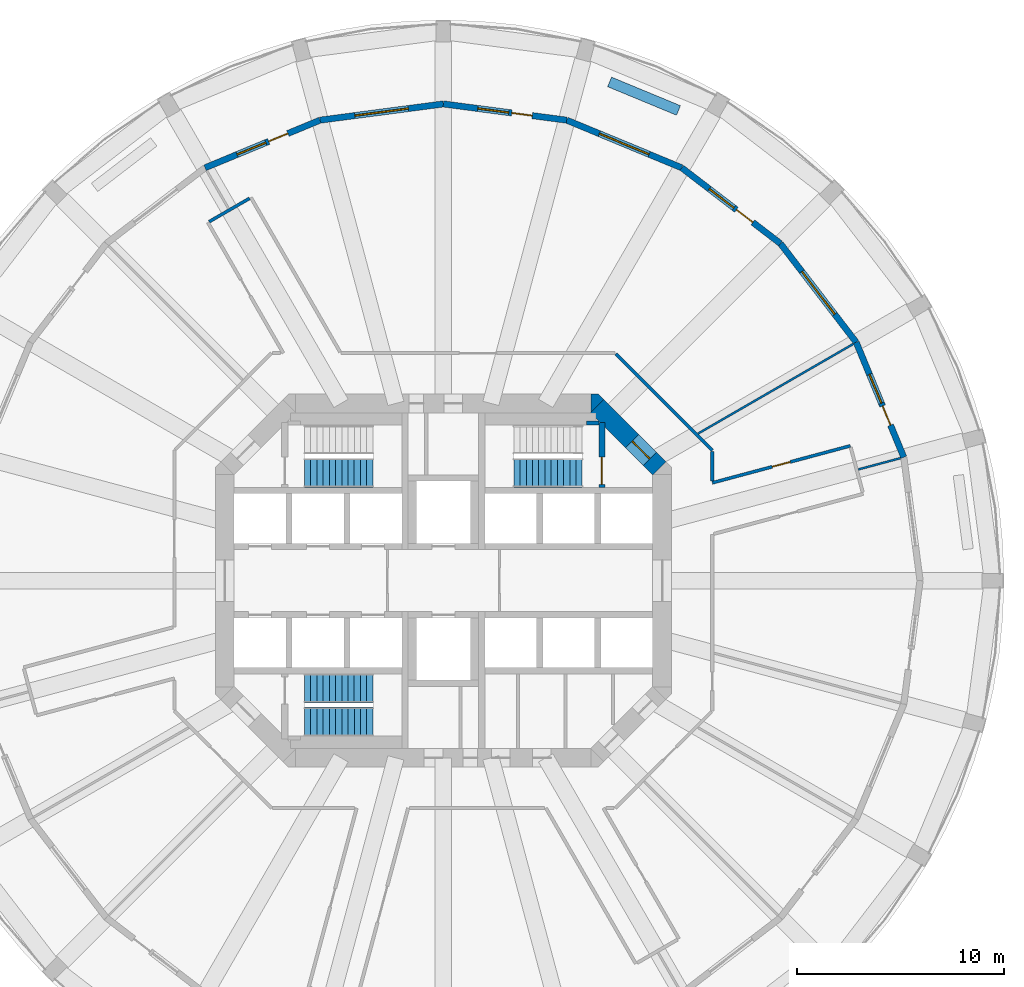
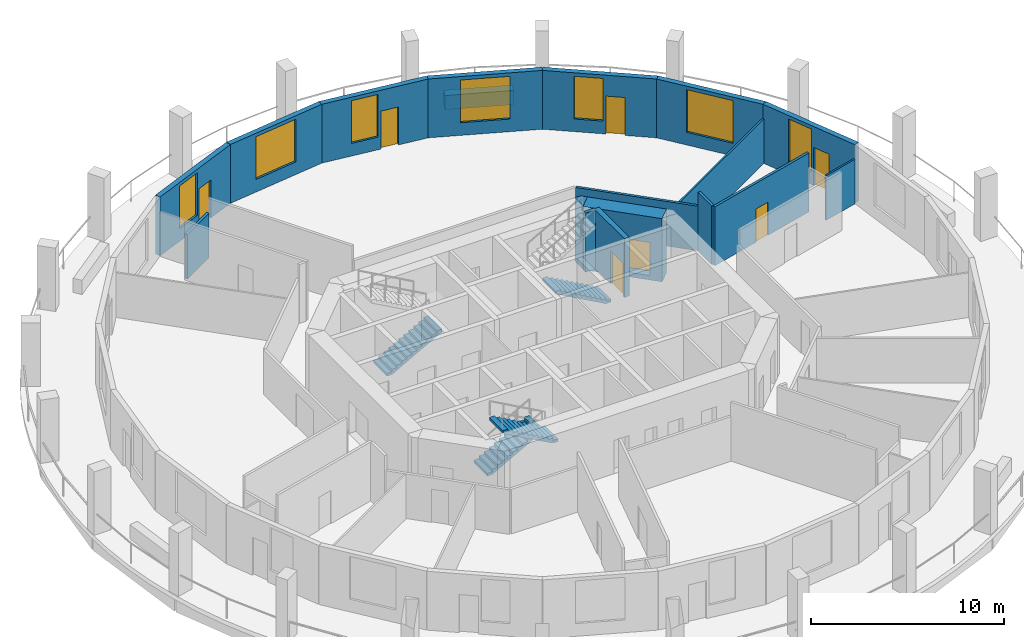
# One storey, part 6 of 9: 18 walls, 7 doors, 7 windows, 4 stair flights, 14 openings, 3 elements without a shape of their own.
"""IFC4 building model written with IfcOpenShell, lengths in metres."""

from ifc_helpers import new_model, si_unit, direction, frame, frame_2d, origin, place, context, subcontext, project, spatial, polyline, rectangle, outline, extrude, material, layer, layer_set, type_object, element, fill, aggregate, save


model = new_model("IFC4")

# Units and contexts
model_context = context("Model", 3, precision=1e-05, world=origin(), true_north=direction((0.0, 1.0)))
body_context = subcontext(model_context, "Body", "Model", "MODEL_VIEW")
ifc_project = project(units=[si_unit("LENGTHUNIT", "METRE"), si_unit("AREAUNIT", "SQUARE_METRE"), si_unit("VOLUMEUNIT", "CUBIC_METRE"), si_unit("PLANEANGLEUNIT", "RADIAN"), si_unit("MASSUNIT", "GRAM", prefix="KILO")], contexts=[model_context])

# Site, building, storey
site_placement = place(None, origin())
site = spatial("IfcSite", under=ifc_project, at=site_placement, CompositionType="ELEMENT")
building_placement = place(site_placement, origin())
building = spatial("IfcBuilding", under=site, at=building_placement, Name="Torre Triforio", CompositionType="ELEMENT")
storey_placement = place(building_placement, frame((0.0, 0.0, 59.0)))
storey = spatial("IfcBuildingStorey", under=building, at=storey_placement, Name="L12", CompositionType="ELEMENT", Elevation=59.0)

# Wall, opening, door
ifc_material_1 = material(Name="Concrete C60", Category="concrete")
ifc_layer_1 = layer(ifc_material_1, 0.89990234375)
ifc_layer_set_1 = layer_set([ifc_layer_1], Name="Concrete C60")
wall_type_1 = type_object("IfcWallType", Name="Core wall 900 mm C60 EI 120", PredefinedType="SHEAR", material=ifc_layer_set_1)
wall_1_placement = place(storey_placement, frame((7.418212890625, 8.418212890625, -0.280029296875), z_axis=(0.0, 0.0, 1.0), x_axis=(0.707106781187, -0.707106781187, 0.0)))
wall_1 = element("IfcWall", 1, at=wall_1_placement, inside=storey, type_object=wall_type_1, Name="Core wall", PredefinedType="SHEAR", context=body_context, shape_type="SweptSolid", body=[
    extrude(rectangle(XDim=4.24267578125, YDim=0.89990234375, at=frame_2d((2.121337890625, 0.0))), origin(), (0.0, 0.0, 1.0), 4.0),
])
opening_1_placement = place(wall_1_placement, frame((2.392578125, 0.0, 0.280029296875)))
opening_1 = element("IfcOpeningElement", 2, at=opening_1_placement, cuts=wall_1, Name="Opening ST2-EXIT", PredefinedType="OPENING", context=body_context, shape_type="SweptSolid", body=[
    extrude(rectangle(XDim=1.199951171875, YDim=2.10009765625, at=frame_2d((0.60009765625, 1.050048828125))), frame((0.0, 0.4599609375, 0.0), z_axis=(0.0, -1.0, 0.0), x_axis=(1.0, 0.0, 0.0)), (0.0, 0.0, 1.0), 0.919921875),
])
ifc_material_2 = material(Name="Hollow metal fire door leaf")
door_type_1 = type_object("IfcDoorType", Name="Stair lobby door 1200 x 2100 EI 60", OperationType="NOTDEFINED", PredefinedType="DOOR", material=ifc_material_2)
door_1_placement = place(opening_1_placement, origin())
door_1 = element("IfcDoor", 3, at=door_1_placement, inside=storey, type_object=door_type_1, Name="Core door ST2-EXIT", OperationType="SINGLE_SWING_RIGHT", OverallHeight=2.10009765625, OverallWidth=1.199951171875, PredefinedType="DOOR", context=body_context, shape_type="SweptSolid", body=[
    extrude(rectangle(XDim=1.199951171875, YDim=2.10009765625, at=frame_2d((0.60009765625, 1.050048828125))), frame((0.0, 0.02490234375, 0.0), z_axis=(0.0, -1.0, 0.0), x_axis=(1.0, 0.0, 0.0)), (0.0, 0.0, 1.0), 0.050048828125),
])
fill(opening_1, door_1)

# Walls
wall_2_placement = place(storey_placement, frame((0.0, 0.0, -0.280029296875)))
element("IfcWall", 4, at=wall_2_placement, inside=storey, type_object=wall_type_1, Name="Core wall", PredefinedType="SHEAR", context=body_context, shape_type="SweptSolid", body=[
    extrude(outline(polyline([(7.472900390625, 9.0), (7.736328125, 8.736328125), (7.1298828125, 8.1298828125), (7.1298828125, 9.0), (7.472900390625, 9.0)])), origin(), (0.0, 0.0, 1.0), 4.0),
])
ifc_material_3 = material(Name="Plasterboard on metal studs")
ifc_layer_2 = layer(ifc_material_3, 0.14990234375)
ifc_layer_set_2 = layer_set([ifc_layer_2], Name="Plasterboard on metal studs")
wall_type_2 = type_object("IfcWallType", Name="Corridor and tenancy wall 150 mm EI 60", PredefinedType="PARTITIONING", material=ifc_layer_set_2)
wall_3_placement = place(storey_placement, frame((-11.298583984375, 17.31982421875, 0.0), z_axis=(0.0, 0.0, 1.0), x_axis=(0.866017533419, 0.500013631625, 0.0)))
element("IfcWall", 5, at=wall_3_placement, inside=storey, type_object=wall_type_2, Name="Partition 7", PredefinedType="PARTITIONING", context=body_context, shape_type="SweptSolid", body=[
    extrude(rectangle(XDim=2.25, YDim=0.14990234375, at=frame_2d((1.125, 0.0))), origin(), (0.0, 0.0, 1.0), 2.820068359375),
])
wall_4_placement = place(storey_placement, frame((8.327880859375, 10.93798828125, 0.0), z_axis=(0.0, 0.0, 1.0), x_axis=(0.707125355289, -0.707088206597, 0.0)))
element("IfcWall", 6, at=wall_4_placement, inside=storey, type_object=wall_type_2, Name="Partition 10", PredefinedType="PARTITIONING", context=body_context, shape_type="SweptSolid", body=[
    extrude(rectangle(XDim=6.572021484375, YDim=0.14990234375, at=frame_2d((3.2861328125, 0.0))), origin(), (0.0, 0.0, 1.0), 2.820068359375),
])
wall_5_placement = place(storey_placement, frame((12.97509765625, 6.23828125, 0.0), z_axis=(0.0, 0.0, 1.0), x_axis=(0.0, -1.0, 0.0)))
element("IfcWall", 7, at=wall_5_placement, inside=storey, type_object=wall_type_2, Name="Partition 11", PredefinedType="PARTITIONING", context=body_context, shape_type="SweptSolid", body=[
    extrude(rectangle(XDim=1.421875, YDim=0.14990234375, at=frame_2d((0.7109375, 0.0))), origin(), (0.0, 0.0, 1.0), 3.719970703125),
])

# Wall, opening, door
wall_6_placement = place(storey_placement, frame((12.97509765625, 4.718994140625, 0.0), z_axis=(0.0, 0.0, 1.0), x_axis=(0.965924499418, 0.258823997003, 0.0)))
wall_6 = element("IfcWall", 8, at=wall_6_placement, inside=storey, type_object=wall_type_2, Name="Partition 12", PredefinedType="PARTITIONING", context=body_context, shape_type="SweptSolid", body=[
    extrude(rectangle(XDim=6.894287109375, YDim=0.14990234375, at=frame_2d((3.447265625, 0.0))), origin(), (0.0, 0.0, 1.0), 3.719970703125),
])
opening_2_placement = place(wall_6_placement, frame((2.997314453125, 0.0, 0.0)))
opening_2 = element("IfcOpeningElement", 9, at=opening_2_placement, cuts=wall_6, Name="Opening N4-10", PredefinedType="OPENING", context=body_context, shape_type="SweptSolid", body=[
    extrude(rectangle(XDim=0.89990234375, YDim=2.10009765625, at=frame_2d((0.449951171875, 1.050048828125))), frame((0.0, 0.0849609375, 0.0), z_axis=(0.0, -1.0, 0.0), x_axis=(1.0, 0.0, 0.0)), (0.0, 0.0, 1.0), 0.169921875),
])
ifc_material_4 = material(Name="Timber", Category="wood")
door_type_2 = type_object("IfcDoorType", Name="Door 900 x 2100 single leaf EI 30", OperationType="NOTDEFINED", PredefinedType="DOOR", material=ifc_material_4)
door_2_placement = place(opening_2_placement, origin())
door_2 = element("IfcDoor", 10, at=door_2_placement, inside=storey, type_object=door_type_2, Name="Door N4-10", OperationType="SINGLE_SWING_RIGHT", OverallHeight=2.10009765625, OverallWidth=0.89990234375, PredefinedType="DOOR", context=body_context, shape_type="SweptSolid", body=[
    extrude(rectangle(XDim=0.89990234375, YDim=2.10009765625, at=frame_2d((0.449951171875, 1.050048828125))), frame((0.0, 0.02490234375, 0.0), z_axis=(0.0, -1.0, 0.0), x_axis=(1.0, 0.0, 0.0)), (0.0, 0.0, 1.0), 0.050048828125),
])
fill(opening_2, door_2)

# Walls
ifc_layer_3 = layer(ifc_material_3, 0.10009765625)
ifc_layer_set_3 = layer_set([ifc_layer_3], Name="Plasterboard on metal studs")
wall_type_3 = type_object("IfcWallType", Name="Partition 100 mm board on metal studs", PredefinedType="PARTITIONING", material=ifc_layer_set_3)
wall_7_placement = place(storey_placement, frame((20.017578125, 5.36376953125, 0.0), z_axis=(0.0, 0.0, 1.0), x_axis=(0.965927422152, 0.258813089189, 0.0)))
element("IfcWall", 11, at=wall_7_placement, inside=storey, type_object=wall_type_3, Name="Partition 29", PredefinedType="PARTITIONING", context=body_context, shape_type="SweptSolid", body=[
    extrude(rectangle(XDim=2.113037109375, YDim=0.10009765625, at=frame_2d((1.056640625, 0.0))), origin(), (0.0, 0.0, 1.0), 2.820068359375),
])
wall_8_placement = place(storey_placement, frame((12.294189453125, 7.097900390625, 0.0), z_axis=(0.0, 0.0, 1.0), x_axis=(0.866010547425, 0.500025731086, 0.0)))
element("IfcWall", 12, at=wall_8_placement, inside=storey, type_object=wall_type_3, Name="Partition 30", PredefinedType="PARTITIONING", context=body_context, shape_type="SweptSolid", body=[
    extrude(rectangle(XDim=8.640625, YDim=0.10009765625, at=frame_2d((4.3203125, 0.0))), origin(), (0.0, 0.0, 1.0), 2.820068359375),
])
ifc_material_5 = material(Name="Limestone cladding", Category="masonry")
ifc_layer_4 = layer(ifc_material_5, 0.10009765625)
ifc_material_6 = material(Name="Concrete C40", Category="concrete")
ifc_layer_5 = layer(ifc_material_6, 0.39990234375)
ifc_layer_set_4 = layer_set([ifc_layer_4, ifc_layer_5], Name="Limestone cladding / Concrete C40")
wall_type_4 = type_object("IfcWallType", Name="Planter wall 500", PredefinedType="PARAPET", material=ifc_layer_set_4)
wall_9_placement = place(storey_placement, frame((11.344970703125, 22.685302734375, 0.0), z_axis=(0.0, 0.0, 1.0), x_axis=(-0.923885420167, 0.382669217998, 0.0)))
element("IfcWall", 13, at=wall_9_placement, inside=storey, type_object=wall_type_4, Name="Planter L12 bay 05", PredefinedType="PARAPET", context=body_context, shape_type="SweptSolid", body=[
    extrude(rectangle(XDim=3.60009765625, YDim=0.5, at=frame_2d((1.800048828125, 0.0))), origin(), (0.0, 0.0, 1.0), 0.89990234375),
])
ifc_layer_6 = layer(ifc_material_1, 0.199951171875)
ifc_layer_set_5 = layer_set([ifc_layer_6], Name="Concrete C60")
wall_type_5 = type_object("IfcWallType", Name="Stair wall 200 mm C60 EI 120", PredefinedType="SHEAR", material=ifc_layer_set_5)
wall_10_placement = place(storey_placement, frame((6.89990234375, 7.60009765625, 0.0), z_axis=(0.0, 0.0, 1.0), x_axis=(1.0, 0.0, 0.0)))
element("IfcWall", 14, at=wall_10_placement, inside=storey, type_object=wall_type_5, Name="Stair wall", PredefinedType="SHEAR", context=body_context, shape_type="SweptSolid", body=[
    extrude(rectangle(XDim=0.60009765625, YDim=0.199951171875, at=frame_2d((0.300048828125, 0.0))), origin(), (0.0, 0.0, 1.0), 3.719970703125),
])

# Wall, opening, door
ifc_layer_7 = layer(ifc_material_1, 0.300048828125)
ifc_layer_set_6 = layer_set([ifc_layer_7], Name="Concrete C60")
wall_type_6 = type_object("IfcWallType", Name="Stair wall 300 mm C60 EI 120", PredefinedType="SHEAR", material=ifc_layer_set_6)
wall_11_placement = place(storey_placement, frame((7.64990234375, 4.5, 0.0), z_axis=(0.0, 0.0, 1.0), x_axis=(0.0, 1.0, 0.0)))
wall_11 = element("IfcWall", 15, at=wall_11_placement, inside=storey, type_object=wall_type_6, Name="Stair wall", PredefinedType="SHEAR", context=body_context, shape_type="SweptSolid", body=[
    extrude(rectangle(XDim=3.139892578125, YDim=0.300048828125, at=frame_2d((1.56982421875, 0.0))), origin(), (0.0, 0.0, 1.0), 3.719970703125),
])
opening_3_placement = place(wall_11_placement, frame((0.139892578125, 0.0, 0.0)))
opening_3 = element("IfcOpeningElement", 16, at=opening_3_placement, cuts=wall_11, Name="Opening ST2-STA", PredefinedType="OPENING", context=body_context, shape_type="SweptSolid", body=[
    extrude(rectangle(XDim=1.320068359375, YDim=2.10009765625, at=frame_2d((0.66015625, 1.050048828125))), frame((0.0, 0.159912109375, 0.0), z_axis=(0.0, -1.0, 0.0), x_axis=(1.0, 0.0, 0.0)), (0.0, 0.0, 1.0), 0.320068359375),
])
door_type_3 = type_object("IfcDoorType", Name="Stair door 1320 x 2100 EI 90", OperationType="DOUBLE_DOOR_SINGLE_SWING", PredefinedType="DOOR", material=ifc_material_2)
door_3_placement = place(opening_3_placement, origin())
door_3 = element("IfcDoor", 17, at=door_3_placement, inside=storey, type_object=door_type_3, Name="Core door ST2-ST", OperationType="DOUBLE_DOOR_SINGLE_SWING", OverallHeight=2.10009765625, OverallWidth=1.320068359375, PredefinedType="DOOR", context=body_context, shape_type="SweptSolid", body=[
    extrude(rectangle(XDim=1.320068359375, YDim=2.10009765625, at=frame_2d((0.66015625, 1.050048828125))), frame((0.0, 0.02490234375, 0.0), z_axis=(0.0, -1.0, 0.0), x_axis=(1.0, 0.0, 0.0)), (0.0, 0.0, 1.0), 0.050048828125),
])
fill(opening_3, door_3)

# Wall, openings, door, window
ifc_layer_8 = layer(ifc_material_5, 0.10009765625)
ifc_layer_9 = layer(ifc_material_6, 0.199951171875)
ifc_layer_set_7 = layer_set([ifc_layer_8, ifc_layer_9], Name="Limestone cladding / Concrete C40")
wall_type_7 = type_object("IfcWallType", Name="Stone-faced composite wall 300", PredefinedType="STANDARD", material=ifc_layer_set_7)
wall_12_placement = place(storey_placement, frame((22.21630859375, 5.952880859375, 0.0), z_axis=(0.0, 0.0, 1.0), x_axis=(-0.382671411433, 0.923884511653, 0.0)))
wall_12 = element("IfcWall", 18, at=wall_12_placement, inside=storey, type_object=wall_type_7, Name="External wall L12 bay 02", PredefinedType="STANDARD", context=body_context, shape_type="SweptSolid", body=[
    extrude(rectangle(XDim=6.004150390625, YDim=0.300048828125, at=frame_2d((3.001953125, 0.0))), origin(), (0.0, 0.0, 1.0), 3.719970703125),
])
opening_4_placement = place(wall_12_placement, frame((1.677001953125, 0.0, 0.0)))
opening_4 = element("IfcOpeningElement", 19, at=opening_4_placement, cuts=wall_12, Name="Opening N4-D02", PredefinedType="OPENING", context=body_context, shape_type="SweptSolid", body=[
    extrude(rectangle(XDim=1.0, YDim=2.39990234375, at=frame_2d((0.5, 1.199951171875))), frame((0.0, 0.159912109375, 0.0), z_axis=(0.0, -1.0, 0.0), x_axis=(1.0, 0.0, 0.0)), (0.0, 0.0, 1.0), 0.320068359375),
])
opening_5_placement = place(wall_12_placement, frame((2.8271484375, 0.0, 0.800048828125)))
opening_5 = element("IfcOpeningElement", 20, at=opening_5_placement, cuts=wall_12, Name="Opening N4-W02A", PredefinedType="OPENING", context=body_context, shape_type="SweptSolid", body=[
    extrude(rectangle(XDim=1.5, YDim=2.699951171875, at=frame_2d((0.75, 1.35009765625))), frame((0.0, 0.159912109375, 0.0), z_axis=(0.0, -1.0, 0.0), x_axis=(1.0, 0.0, 0.0)), (0.0, 0.0, 1.0), 0.320068359375),
])
ifc_material_7 = material(Name="Aluminium frame with clear double glazing", Category="aluminium")
door_type_4 = type_object("IfcDoorType", Name="Loggia door 1000 x 2400", OperationType="NOTDEFINED", PredefinedType="DOOR", material=ifc_material_7)
door_4_placement = place(opening_4_placement, origin())
door_4 = element("IfcDoor", 21, at=door_4_placement, inside=storey, type_object=door_type_4, Name="Loggia door L12 bay 02", OperationType="SINGLE_SWING_LEFT", OverallHeight=2.39990234375, OverallWidth=1.0, PredefinedType="DOOR", context=body_context, shape_type="SweptSolid", body=[
    extrude(rectangle(XDim=1.0, YDim=2.39990234375, at=frame_2d((0.5, 1.199951171875))), frame((0.0, 0.02490234375, 0.0), z_axis=(0.0, -1.0, 0.0), x_axis=(1.0, 0.0, 0.0)), (0.0, 0.0, 1.0), 0.050048828125),
])
fill(opening_4, door_4)
window_type_1 = type_object("IfcWindowType", Name="Side window 1500 x 2700", PartitioningType="SINGLE_PANEL", PredefinedType="WINDOW", material=ifc_material_7)
window_1_placement = place(opening_5_placement, origin())
window_1 = element("IfcWindow", 22, at=window_1_placement, inside=storey, type_object=window_type_1, Name="Side window EWN12 L12 bay 02", OverallHeight=2.699951171875, OverallWidth=1.5, PartitioningType="SINGLE_PANEL", PredefinedType="WINDOW", context=body_context, shape_type="SweptSolid", body=[
    extrude(rectangle(XDim=1.5, YDim=2.699951171875, at=frame_2d((0.75, 1.35009765625))), frame((0.0, 0.030029296875, 0.0), z_axis=(0.0, -1.0, 0.0), x_axis=(1.0, 0.0, 0.0)), (0.0, 0.0, 1.0), 0.06005859375),
])
fill(opening_5, window_1)

# Wall, opening, window
wall_13_placement = place(storey_placement, frame((19.918701171875, 11.5, 0.0), z_axis=(0.0, 0.0, 1.0), x_axis=(-0.608778912074, 0.793339924758, 0.0)))
wall_13 = element("IfcWall", 23, at=wall_13_placement, inside=storey, type_object=wall_type_7, Name="External wall L12 bay 03", PredefinedType="STANDARD", context=body_context, shape_type="SweptSolid", body=[
    extrude(rectangle(XDim=6.004150390625, YDim=0.300048828125, at=frame_2d((3.001953125, 0.0))), origin(), (0.0, 0.0, 1.0), 3.719970703125),
])
opening_6_placement = place(wall_13_placement, frame((1.7021484375, 0.0, 0.800048828125)))
opening_6 = element("IfcOpeningElement", 24, at=opening_6_placement, cuts=wall_13, Name="Opening N4-W03", PredefinedType="OPENING", context=body_context, shape_type="SweptSolid", body=[
    extrude(rectangle(XDim=2.60009765625, YDim=2.699951171875, at=frame_2d((1.300048828125, 1.35009765625))), frame((0.0, 0.159912109375, 0.0), z_axis=(0.0, -1.0, 0.0), x_axis=(1.0, 0.0, 0.0)), (0.0, 0.0, 1.0), 0.320068359375),
])
window_type_2 = type_object("IfcWindowType", Name="Punched window 2600 x 2700", PartitioningType="DOUBLE_PANEL_VERTICAL", PredefinedType="WINDOW", material=ifc_material_7)
window_2_placement = place(opening_6_placement, origin())
window_2 = element("IfcWindow", 25, at=window_2_placement, inside=storey, type_object=window_type_2, Name="Window EWN2 L12 bay 03", OverallHeight=2.699951171875, OverallWidth=2.60009765625, PartitioningType="SINGLE_PANEL", PredefinedType="WINDOW", context=body_context, shape_type="SweptSolid", body=[
    extrude(rectangle(XDim=2.60009765625, YDim=2.699951171875, at=frame_2d((1.300048828125, 1.35009765625))), frame((0.0, 0.030029296875, 0.0), z_axis=(0.0, -1.0, 0.0), x_axis=(1.0, 0.0, 0.0)), (0.0, 0.0, 1.0), 0.06005859375),
])
fill(opening_6, window_2)

# Wall, openings, door, window
wall_14_placement = place(storey_placement, frame((16.263427734375, 16.263427734375, 0.0), z_axis=(0.0, 0.0, 1.0), x_axis=(-0.793339924758, 0.608778912074, 0.0)))
wall_14 = element("IfcWall", 26, at=wall_14_placement, inside=storey, type_object=wall_type_7, Name="External wall L12 bay 04", PredefinedType="STANDARD", context=body_context, shape_type="SweptSolid", body=[
    extrude(rectangle(XDim=6.004150390625, YDim=0.300048828125, at=frame_2d((3.001953125, 0.0))), origin(), (0.0, 0.0, 1.0), 3.719970703125),
])
opening_7_placement = place(wall_14_placement, frame((1.677001953125, 0.0, 0.0)))
opening_7 = element("IfcOpeningElement", 27, at=opening_7_placement, cuts=wall_14, Name="Opening N4-D04", PredefinedType="OPENING", context=body_context, shape_type="SweptSolid", body=[
    extrude(rectangle(XDim=1.0, YDim=2.39990234375, at=frame_2d((0.5, 1.199951171875))), frame((0.0, 0.159912109375, 0.0), z_axis=(0.0, -1.0, 0.0), x_axis=(1.0, 0.0, 0.0)), (0.0, 0.0, 1.0), 0.320068359375),
])
opening_8_placement = place(wall_14_placement, frame((2.8271484375, 0.0, 0.800048828125)))
opening_8 = element("IfcOpeningElement", 28, at=opening_8_placement, cuts=wall_14, Name="Opening N4-W04A", PredefinedType="OPENING", context=body_context, shape_type="SweptSolid", body=[
    extrude(rectangle(XDim=1.5, YDim=2.699951171875, at=frame_2d((0.75, 1.35009765625))), frame((0.0, 0.159912109375, 0.0), z_axis=(0.0, -1.0, 0.0), x_axis=(1.0, 0.0, 0.0)), (0.0, 0.0, 1.0), 0.320068359375),
])
door_5_placement = place(opening_7_placement, origin())
door_5 = element("IfcDoor", 29, at=door_5_placement, inside=storey, type_object=door_type_4, Name="Loggia door L12 bay 04", OperationType="SINGLE_SWING_LEFT", OverallHeight=2.39990234375, OverallWidth=1.0, PredefinedType="DOOR", context=body_context, shape_type="SweptSolid", body=[
    extrude(rectangle(XDim=1.0, YDim=2.39990234375, at=frame_2d((0.5, 1.199951171875))), frame((0.0, 0.02490234375, 0.0), z_axis=(0.0, -1.0, 0.0), x_axis=(1.0, 0.0, 0.0)), (0.0, 0.0, 1.0), 0.050048828125),
])
fill(opening_7, door_5)
window_3_placement = place(opening_8_placement, origin())
window_3 = element("IfcWindow", 30, at=window_3_placement, inside=storey, type_object=window_type_1, Name="Side window EWN12 L12 bay 04", OverallHeight=2.699951171875, OverallWidth=1.5, PartitioningType="SINGLE_PANEL", PredefinedType="WINDOW", context=body_context, shape_type="SweptSolid", body=[
    extrude(rectangle(XDim=1.5, YDim=2.699951171875, at=frame_2d((0.75, 1.35009765625))), frame((0.0, 0.030029296875, 0.0), z_axis=(0.0, -1.0, 0.0), x_axis=(1.0, 0.0, 0.0)), (0.0, 0.0, 1.0), 0.06005859375),
])
fill(opening_8, window_3)

# Wall, opening, window
wall_15_placement = place(storey_placement, frame((11.5, 19.918701171875, 0.0), z_axis=(0.0, 0.0, 1.0), x_axis=(-0.923884511653, 0.382671411433, 0.0)))
wall_15 = element("IfcWall", 31, at=wall_15_placement, inside=storey, type_object=wall_type_7, Name="External wall L12 bay 05", PredefinedType="STANDARD", context=body_context, shape_type="SweptSolid", body=[
    extrude(rectangle(XDim=6.004150390625, YDim=0.300048828125, at=frame_2d((3.001953125, 0.0))), origin(), (0.0, 0.0, 1.0), 3.719970703125),
])
opening_9_placement = place(wall_15_placement, frame((1.7021484375, 0.0, 0.800048828125)))
opening_9 = element("IfcOpeningElement", 32, at=opening_9_placement, cuts=wall_15, Name="Opening N4-W05", PredefinedType="OPENING", context=body_context, shape_type="SweptSolid", body=[
    extrude(rectangle(XDim=2.60009765625, YDim=2.699951171875, at=frame_2d((1.300048828125, 1.35009765625))), frame((0.0, 0.159912109375, 0.0), z_axis=(0.0, -1.0, 0.0), x_axis=(1.0, 0.0, 0.0)), (0.0, 0.0, 1.0), 0.320068359375),
])
window_4_placement = place(opening_9_placement, origin())
window_4 = element("IfcWindow", 33, at=window_4_placement, inside=storey, type_object=window_type_2, Name="Window EWN2 L12 bay 05", OverallHeight=2.699951171875, OverallWidth=2.60009765625, PartitioningType="SINGLE_PANEL", PredefinedType="WINDOW", context=body_context, shape_type="SweptSolid", body=[
    extrude(rectangle(XDim=2.60009765625, YDim=2.699951171875, at=frame_2d((1.300048828125, 1.35009765625))), frame((0.0, 0.030029296875, 0.0), z_axis=(0.0, -1.0, 0.0), x_axis=(1.0, 0.0, 0.0)), (0.0, 0.0, 1.0), 0.06005859375),
])
fill(opening_9, window_4)

# Wall, openings, door, window
wall_16_placement = place(storey_placement, frame((5.952880859375, 22.21630859375, 0.0), z_axis=(0.0, 0.0, 1.0), x_axis=(-0.991445297315, 0.130522880875, 0.0)))
wall_16 = element("IfcWall", 34, at=wall_16_placement, inside=storey, type_object=wall_type_7, Name="External wall L12 bay 06", PredefinedType="STANDARD", context=body_context, shape_type="SweptSolid", body=[
    extrude(rectangle(XDim=6.004150390625, YDim=0.300048828125, at=frame_2d((3.001953125, 0.0))), origin(), (0.0, 0.0, 1.0), 3.719970703125),
])
opening_10_placement = place(wall_16_placement, frame((1.677001953125, 0.0, 0.0)))
opening_10 = element("IfcOpeningElement", 35, at=opening_10_placement, cuts=wall_16, Name="Opening N4-D06", PredefinedType="OPENING", context=body_context, shape_type="SweptSolid", body=[
    extrude(rectangle(XDim=1.0, YDim=2.39990234375, at=frame_2d((0.5, 1.199951171875))), frame((0.0, 0.159912109375, 0.0), z_axis=(0.0, -1.0, 0.0), x_axis=(1.0, 0.0, 0.0)), (0.0, 0.0, 1.0), 0.320068359375),
])
opening_11_placement = place(wall_16_placement, frame((2.8271484375, 0.0, 0.800048828125)))
opening_11 = element("IfcOpeningElement", 36, at=opening_11_placement, cuts=wall_16, Name="Opening N4-W06A", PredefinedType="OPENING", context=body_context, shape_type="SweptSolid", body=[
    extrude(rectangle(XDim=1.5, YDim=2.699951171875, at=frame_2d((0.75, 1.35009765625))), frame((0.0, 0.159912109375, 0.0), z_axis=(0.0, -1.0, 0.0), x_axis=(1.0, 0.0, 0.0)), (0.0, 0.0, 1.0), 0.320068359375),
])
door_6_placement = place(opening_10_placement, origin())
door_6 = element("IfcDoor", 37, at=door_6_placement, inside=storey, type_object=door_type_4, Name="Loggia door L12 bay 06", OperationType="SINGLE_SWING_LEFT", OverallHeight=2.39990234375, OverallWidth=1.0, PredefinedType="DOOR", context=body_context, shape_type="SweptSolid", body=[
    extrude(rectangle(XDim=1.0, YDim=2.39990234375, at=frame_2d((0.5, 1.199951171875))), frame((0.0, 0.02490234375, 0.0), z_axis=(0.0, -1.0, 0.0), x_axis=(1.0, 0.0, 0.0)), (0.0, 0.0, 1.0), 0.050048828125),
])
fill(opening_10, door_6)
window_5_placement = place(opening_11_placement, origin())
window_5 = element("IfcWindow", 38, at=window_5_placement, inside=storey, type_object=window_type_1, Name="Side window EWN12 L12 bay 06", OverallHeight=2.699951171875, OverallWidth=1.5, PartitioningType="SINGLE_PANEL", PredefinedType="WINDOW", context=body_context, shape_type="SweptSolid", body=[
    extrude(rectangle(XDim=1.5, YDim=2.699951171875, at=frame_2d((0.75, 1.35009765625))), frame((0.0, 0.030029296875, 0.0), z_axis=(0.0, -1.0, 0.0), x_axis=(1.0, 0.0, 0.0)), (0.0, 0.0, 1.0), 0.06005859375),
])
fill(opening_11, window_5)

# Wall, opening, window
wall_17_placement = place(storey_placement, frame((0.0, 23.0, 0.0), z_axis=(0.0, 0.0, 1.0), x_axis=(-0.991445297315, -0.130522880875, 0.0)))
wall_17 = element("IfcWall", 39, at=wall_17_placement, inside=storey, type_object=wall_type_7, Name="External wall L12 bay 07", PredefinedType="STANDARD", context=body_context, shape_type="SweptSolid", body=[
    extrude(rectangle(XDim=6.004150390625, YDim=0.300048828125, at=frame_2d((3.001953125, 0.0))), origin(), (0.0, 0.0, 1.0), 3.719970703125),
])
opening_12_placement = place(wall_17_placement, frame((1.7021484375, 0.0, 0.800048828125)))
opening_12 = element("IfcOpeningElement", 40, at=opening_12_placement, cuts=wall_17, Name="Opening N4-W07", PredefinedType="OPENING", context=body_context, shape_type="SweptSolid", body=[
    extrude(rectangle(XDim=2.60009765625, YDim=2.699951171875, at=frame_2d((1.300048828125, 1.35009765625))), frame((0.0, 0.159912109375, 0.0), z_axis=(0.0, -1.0, 0.0), x_axis=(1.0, 0.0, 0.0)), (0.0, 0.0, 1.0), 0.320068359375),
])
window_6_placement = place(opening_12_placement, origin())
window_6 = element("IfcWindow", 41, at=window_6_placement, inside=storey, type_object=window_type_2, Name="Window EWN2 L12 bay 07", OverallHeight=2.699951171875, OverallWidth=2.60009765625, PartitioningType="SINGLE_PANEL", PredefinedType="WINDOW", context=body_context, shape_type="SweptSolid", body=[
    extrude(rectangle(XDim=2.60009765625, YDim=2.699951171875, at=frame_2d((1.300048828125, 1.35009765625))), frame((0.0, 0.030029296875, 0.0), z_axis=(0.0, -1.0, 0.0), x_axis=(1.0, 0.0, 0.0)), (0.0, 0.0, 1.0), 0.06005859375),
])
fill(opening_12, window_6)

# Wall, openings, door, window
wall_18_placement = place(storey_placement, frame((-5.952880859375, 22.21630859375, 0.0), z_axis=(0.0, 0.0, 1.0), x_axis=(-0.923884511653, -0.382671411433, 0.0)))
wall_18 = element("IfcWall", 42, at=wall_18_placement, inside=storey, type_object=wall_type_7, Name="External wall L12 bay 08", PredefinedType="STANDARD", context=body_context, shape_type="SweptSolid", body=[
    extrude(rectangle(XDim=6.004150390625, YDim=0.300048828125, at=frame_2d((3.001953125, 0.0))), origin(), (0.0, 0.0, 1.0), 3.719970703125),
])
opening_13_placement = place(wall_18_placement, frame((1.677001953125, 0.0, 0.0)))
opening_13 = element("IfcOpeningElement", 43, at=opening_13_placement, cuts=wall_18, Name="Opening N4-D08", PredefinedType="OPENING", context=body_context, shape_type="SweptSolid", body=[
    extrude(rectangle(XDim=1.0, YDim=2.39990234375, at=frame_2d((0.5, 1.199951171875))), frame((0.0, 0.159912109375, 0.0), z_axis=(0.0, -1.0, 0.0), x_axis=(1.0, 0.0, 0.0)), (0.0, 0.0, 1.0), 0.320068359375),
])
opening_14_placement = place(wall_18_placement, frame((2.8271484375, 0.0, 0.800048828125)))
opening_14 = element("IfcOpeningElement", 44, at=opening_14_placement, cuts=wall_18, Name="Opening N4-W08A", PredefinedType="OPENING", context=body_context, shape_type="SweptSolid", body=[
    extrude(rectangle(XDim=1.5, YDim=2.699951171875, at=frame_2d((0.75, 1.35009765625))), frame((0.0, 0.159912109375, 0.0), z_axis=(0.0, -1.0, 0.0), x_axis=(1.0, 0.0, 0.0)), (0.0, 0.0, 1.0), 0.320068359375),
])
door_7_placement = place(opening_13_placement, origin())
door_7 = element("IfcDoor", 45, at=door_7_placement, inside=storey, type_object=door_type_4, Name="Loggia door L12 bay 08", OperationType="SINGLE_SWING_LEFT", OverallHeight=2.39990234375, OverallWidth=1.0, PredefinedType="DOOR", context=body_context, shape_type="SweptSolid", body=[
    extrude(rectangle(XDim=1.0, YDim=2.39990234375, at=frame_2d((0.5, 1.199951171875))), frame((0.0, 0.02490234375, 0.0), z_axis=(0.0, -1.0, 0.0), x_axis=(1.0, 0.0, 0.0)), (0.0, 0.0, 1.0), 0.050048828125),
])
fill(opening_13, door_7)
window_7_placement = place(opening_14_placement, origin())
window_7 = element("IfcWindow", 46, at=window_7_placement, inside=storey, type_object=window_type_1, Name="Side window EWN12 L12 bay 08", OverallHeight=2.699951171875, OverallWidth=1.5, PartitioningType="SINGLE_PANEL", PredefinedType="WINDOW", context=body_context, shape_type="SweptSolid", body=[
    extrude(rectangle(XDim=1.5, YDim=2.699951171875, at=frame_2d((0.75, 1.35009765625))), frame((0.0, 0.030029296875, 0.0), z_axis=(0.0, -1.0, 0.0), x_axis=(1.0, 0.0, 0.0)), (0.0, 0.0, 1.0), 0.06005859375),
])
fill(opening_14, window_7)

# Stair, stair flight
stair_type = type_object("IfcStairType", Name="STAIR HALF-TURN", PredefinedType="HALF_TURN_STAIR", material=ifc_material_6)
stair_1_placement = place(storey_placement, origin())
stair_1 = element("IfcStair", 47, at=stair_1_placement, inside=storey, type_object=stair_type, Name="Exit stair 1", PredefinedType="HALF_TURN_STAIR")
stair_flight_type = type_object("IfcStairFlightType", Name="STAIR FLIGHT 1400", PredefinedType="STRAIGHT", material=ifc_material_6)
stair_flight_1_placement = place(storey_placement, frame((-6.699951171875, 5.199951171875, 0.0), z_axis=(0.0, 0.0, 1.0), x_axis=(1.0, 0.0, 0.0)))
stair_flight_1 = element("IfcStairFlight", 48, at=stair_flight_1_placement, type_object=stair_flight_type, Name="ST1 flight 1", NumberOfRisers=12, NumberOfTreads=11, PredefinedType="STRAIGHT", RiserHeight=0.166666667, TreadLength=0.3, context=body_context, shape_type="SweptSolid", body=[
    extrude(outline(polyline([(0.0, 0.0), (0.0, 0.166748046875), (0.300048828125, 0.166748046875), (0.300048828125, 0.333251953125), (0.60009765625, 0.333251953125), (0.60009765625, 0.5), (0.89990234375, 0.5), (0.89990234375, 0.666748046875), (1.199951171875, 0.666748046875), (1.199951171875, 0.833251953125), (1.5, 0.833251953125), (1.5, 1.0), (1.800048828125, 1.0), (1.800048828125, 1.166748046875), (2.10009765625, 1.166748046875), (2.10009765625, 1.333251953125), (2.39990234375, 1.333251953125), (2.39990234375, 1.5), (2.699951171875, 1.5), (2.699951171875, 1.666748046875), (3.0, 1.666748046875), (3.0, 1.833251953125), (3.300048828125, 1.833251953125), (3.300048828125, 2.0), (3.300048828125, 1.661865234375), (0.30859375, 0.0), (0.0, 0.0)])), frame((0.0, 0.699951171875, 0.0), z_axis=(0.0, -1.0, 0.0), x_axis=(1.0, 0.0, 0.0)), (0.0, 0.0, 1.0), 1.39990234375),
])
aggregate(stair_1, [stair_flight_1])

stair_2_placement = place(storey_placement, origin())
stair_2 = element("IfcStair", 49, at=stair_2_placement, inside=storey, type_object=stair_type, Name="Exit stair 2", PredefinedType="HALF_TURN_STAIR")
stair_flight_2_placement = place(storey_placement, frame((6.699951171875, 5.199951171875, 0.0), z_axis=(0.0, 0.0, 1.0), x_axis=(-1.0, 0.0, 0.0)))
stair_flight_2 = element("IfcStairFlight", 50, at=stair_flight_2_placement, type_object=stair_flight_type, Name="ST2 flight 1", NumberOfRisers=12, NumberOfTreads=11, PredefinedType="STRAIGHT", RiserHeight=0.166666667, TreadLength=0.3, context=body_context, shape_type="SweptSolid", body=[
    extrude(outline(polyline([(0.0, 0.0), (0.0, 0.166748046875), (0.300048828125, 0.166748046875), (0.300048828125, 0.333251953125), (0.60009765625, 0.333251953125), (0.60009765625, 0.5), (0.89990234375, 0.5), (0.89990234375, 0.666748046875), (1.199951171875, 0.666748046875), (1.199951171875, 0.833251953125), (1.5, 0.833251953125), (1.5, 1.0), (1.800048828125, 1.0), (1.800048828125, 1.166748046875), (2.10009765625, 1.166748046875), (2.10009765625, 1.333251953125), (2.39990234375, 1.333251953125), (2.39990234375, 1.5), (2.699951171875, 1.5), (2.699951171875, 1.666748046875), (3.0, 1.666748046875), (3.0, 1.833251953125), (3.300048828125, 1.833251953125), (3.300048828125, 2.0), (3.300048828125, 1.661865234375), (0.30859375, 0.0), (0.0, 0.0)])), frame((0.0, 0.699951171875, 0.0), z_axis=(0.0, -1.0, 0.0), x_axis=(1.0, 0.0, 0.0)), (0.0, 0.0, 1.0), 1.39990234375),
])
aggregate(stair_2, [stair_flight_2])

# Stair, stair flights
stair_3_placement = place(storey_placement, origin())
stair_3 = element("IfcStair", 51, at=stair_3_placement, inside=storey, type_object=stair_type, Name="Exit stair 3", PredefinedType="HALF_TURN_STAIR")
stair_flight_3_placement = place(storey_placement, frame((-6.699951171875, -5.199951171875, 0.0), z_axis=(0.0, 0.0, 1.0), x_axis=(1.0, 0.0, 0.0)))
stair_flight_3 = element("IfcStairFlight", 52, at=stair_flight_3_placement, type_object=stair_flight_type, Name="ST3 flight 1", NumberOfRisers=12, NumberOfTreads=11, PredefinedType="STRAIGHT", RiserHeight=0.166666667, TreadLength=0.3, context=body_context, shape_type="SweptSolid", body=[
    extrude(outline(polyline([(0.0, 0.0), (0.0, 0.166748046875), (0.300048828125, 0.166748046875), (0.300048828125, 0.333251953125), (0.60009765625, 0.333251953125), (0.60009765625, 0.5), (0.89990234375, 0.5), (0.89990234375, 0.666748046875), (1.199951171875, 0.666748046875), (1.199951171875, 0.833251953125), (1.5, 0.833251953125), (1.5, 1.0), (1.800048828125, 1.0), (1.800048828125, 1.166748046875), (2.10009765625, 1.166748046875), (2.10009765625, 1.333251953125), (2.39990234375, 1.333251953125), (2.39990234375, 1.5), (2.699951171875, 1.5), (2.699951171875, 1.666748046875), (3.0, 1.666748046875), (3.0, 1.833251953125), (3.300048828125, 1.833251953125), (3.300048828125, 2.0), (3.300048828125, 1.661865234375), (0.30859375, 0.0), (0.0, 0.0)])), frame((0.0, 0.699951171875, 0.0), z_axis=(0.0, -1.0, 0.0), x_axis=(1.0, 0.0, 0.0)), (0.0, 0.0, 1.0), 1.39990234375),
])
stair_flight_4_placement = place(storey_placement, frame((-3.39990234375, -6.800048828125, 2.0), z_axis=(0.0, 0.0, 1.0), x_axis=(-1.0, 0.0, 0.0)))
stair_flight_4 = element("IfcStairFlight", 53, at=stair_flight_4_placement, type_object=stair_flight_type, Name="ST3 flight 2", NumberOfRisers=12, NumberOfTreads=11, PredefinedType="STRAIGHT", RiserHeight=0.166666667, TreadLength=0.3, context=body_context, shape_type="SweptSolid", body=[
    extrude(outline(polyline([(0.0, 0.0), (0.0, 0.166748046875), (0.300048828125, 0.166748046875), (0.300048828125, 0.333251953125), (0.60009765625, 0.333251953125), (0.60009765625, 0.5), (0.89990234375, 0.5), (0.89990234375, 0.666748046875), (1.199951171875, 0.666748046875), (1.199951171875, 0.833251953125), (1.5, 0.833251953125), (1.5, 1.0), (1.800048828125, 1.0), (1.800048828125, 1.166748046875), (2.10009765625, 1.166748046875), (2.10009765625, 1.333251953125), (2.39990234375, 1.333251953125), (2.39990234375, 1.5), (2.699951171875, 1.5), (2.699951171875, 1.666748046875), (3.0, 1.666748046875), (3.0, 1.833251953125), (3.300048828125, 1.833251953125), (3.300048828125, 2.0), (3.300048828125, 1.661865234375), (0.30859375, 0.0), (0.0, 0.0)])), frame((0.0, 0.699951171875, 0.0), z_axis=(0.0, -1.0, 0.0), x_axis=(1.0, 0.0, 0.0)), (0.0, 0.0, 1.0), 1.39990234375),
])
aggregate(stair_3, [stair_flight_3, stair_flight_4])

save(model, "model.ifc")
